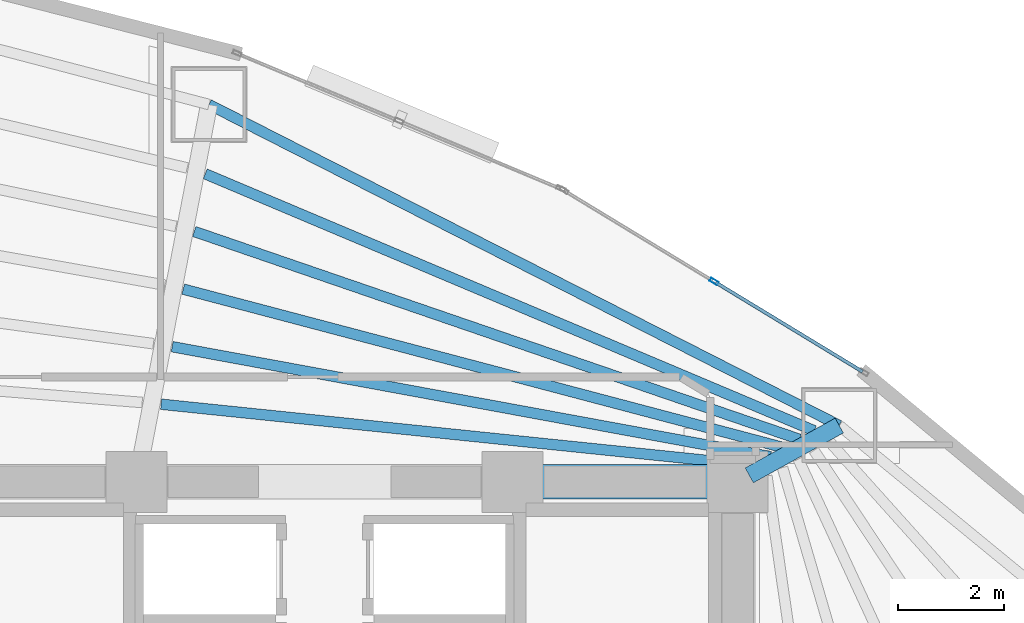
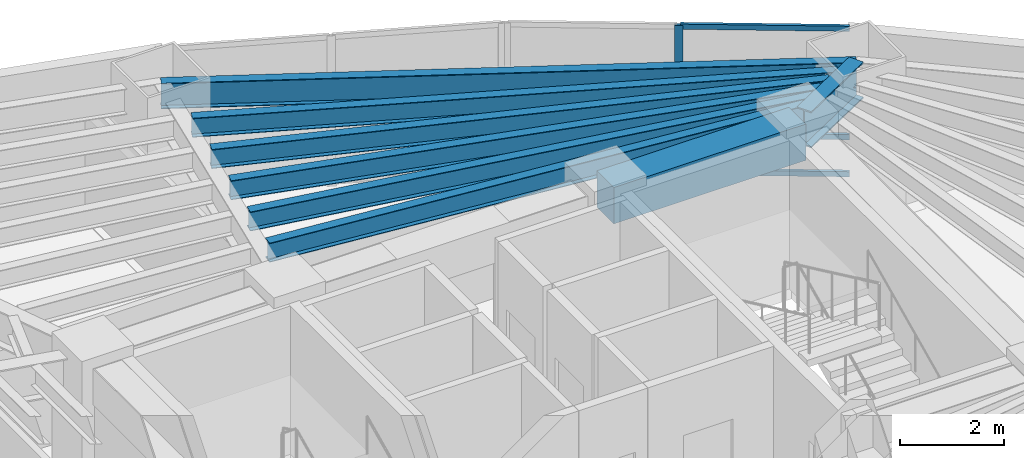
# One storey, part 10 of 17: 8 beams, 4 members, 1 element without a shape of its own.
"""IFC4 building model written with IfcOpenShell, lengths in metres."""

from ifc_helpers import new_model, si_unit, direction, frame, origin, origin_2d, place, context, subcontext, project, spatial, rectangle, hollow_rectangle, i_section, extrude, material, layer, layer_set, material_profile, profile_set, type_object, element, aggregate, save


model = new_model("IFC4")

# Units and contexts
model_context = context("Model", 3, precision=1e-05, world=origin(), true_north=direction((0.0, 1.0)))
body_context = subcontext(model_context, "Body", "Model", "MODEL_VIEW")
ifc_project = project(units=[si_unit("LENGTHUNIT", "METRE"), si_unit("AREAUNIT", "SQUARE_METRE"), si_unit("VOLUMEUNIT", "CUBIC_METRE"), si_unit("PLANEANGLEUNIT", "RADIAN"), si_unit("MASSUNIT", "GRAM", prefix="KILO")], contexts=[model_context])

# Site, building, storey
site_placement = place(None, origin())
site = spatial("IfcSite", under=ifc_project, at=site_placement, CompositionType="ELEMENT")
building_placement = place(site_placement, origin())
building = spatial("IfcBuilding", under=site, at=building_placement, Name="Menara Vayukalpa", CompositionType="ELEMENT")
storey_placement = place(building_placement, frame((0.0, 0.0, 38.760009765625)))
storey = spatial("IfcBuildingStorey", under=building, at=storey_placement, Name="L08", CompositionType="ELEMENT", Elevation=38.760009765625)

# Beams
ifc_material_1 = material(Name="Concrete C60/75", Category="concrete")
ifc_material_profile_1 = material_profile(ifc_material_1, rectangle(XDim=0.64990234375, YDim=0.85009765625, at=origin_2d()), Name="RC 650x850")
ifc_profile_set_1 = profile_set([ifc_material_profile_1], Name="Concrete C60/75")
beam_type_1 = type_object("IfcBeamType", Name="BM-CB1", PredefinedType="BEAM", material=ifc_profile_set_1)
beam_1_placement = place(storey_placement, frame((29.14990234375, 26.800048828125, 3.044921875), z_axis=(1.0, 0.0, 0.0), x_axis=(0.0, 1.0, 0.0)))
element("IfcBeam", 1, at=beam_1_placement, inside=storey, type_object=beam_type_1, Name="L08 Core Tie Beam CBR6", PredefinedType="BEAM", context=body_context, shape_type="SweptSolid", body=[
    extrude(rectangle(XDim=0.64990234375, YDim=0.85009765625, at=origin_2d()), origin(), (0.0, 0.0, 1.0), 4.25),
])
ifc_material_2 = material(Name="Steel S355", Category="steel")
ifc_material_profile_2 = material_profile(ifc_material_2, i_section(OverallWidth=0.320068359375, OverallDepth=0.85009765625, WebThickness=0.01611328125, FlangeThickness=0.030029296875, at=origin_2d()), Name="WF 850x320x16x30")
ifc_profile_set_2 = profile_set([ifc_material_profile_2], Name="Steel S355")
beam_type_2 = type_object("IfcBeamType", Name="BM-PG2", PredefinedType="BEAM", material=ifc_profile_set_2)
beam_2_placement = place(storey_placement, frame((33.61865234375, 26.921142578125, 3.044921875), z_axis=(0.87459548214, 0.484853320727, 0.0), x_axis=(-0.484853320727, 0.87459548214, 0.0)))
element("IfcBeam", 2, at=beam_2_placement, inside=storey, type_object=beam_type_2, Name="L08 Primary Radial Girder RG02", PredefinedType="BEAM", context=body_context, shape_type="SweptSolid", body=[
    extrude(i_section(OverallWidth=0.320068359375, OverallDepth=0.85009765625, WebThickness=0.01611328125, FlangeThickness=0.030029296875, at=origin_2d()), origin(), (0.0, 0.0, 1.0), 1.943115234375),
])
ifc_material_3 = material(Name="Steel S355", Category="steel")
ifc_material_profile_3 = material_profile(ifc_material_3, i_section(OverallWidth=0.199951171875, OverallDepth=0.449951171875, WebThickness=0.009033203125, FlangeThickness=0.013916015625, at=origin_2d()), Name="WF 450x200x9x14")
ifc_profile_set_3 = profile_set([ifc_material_profile_3], Name="Steel S355")
beam_type_3 = type_object("IfcBeamType", Name="BM-SJ1", PredefinedType="JOIST", material=ifc_profile_set_3)
beam_3_placement = place(storey_placement, frame((33.74560546875, 27.109130859375, 3.244873046875), z_axis=(-0.994746828953, 0.102365747631, 0.0), x_axis=(-0.102365747631, -0.994746828953, 0.0)))
element("IfcBeam", 3, at=beam_3_placement, inside=storey, type_object=beam_type_3, Name="L08 Secondary Floor Joist SJ02-1", PredefinedType="JOIST", context=body_context, shape_type="SweptSolid", body=[
    extrude(i_section(OverallWidth=0.199951171875, OverallDepth=0.449951171875, WebThickness=0.009033203125, FlangeThickness=0.013916015625, at=origin_2d()), origin(), (0.0, 0.0, 1.0), 11.29052734375),
])
beam_4_placement = place(storey_placement, frame((34.019287109375, 27.27392578125, 3.244873046875), z_axis=(-0.983504975359, 0.180881075419, 0.0), x_axis=(-0.180881075419, -0.983504975359, 0.0)))
element("IfcBeam", 4, at=beam_4_placement, inside=storey, type_object=beam_type_3, Name="L08 Secondary Floor Joist SJ02-2", PredefinedType="JOIST", context=body_context, shape_type="SweptSolid", body=[
    extrude(i_section(OverallWidth=0.199951171875, OverallDepth=0.449951171875, WebThickness=0.009033203125, FlangeThickness=0.013916015625, at=origin_2d()), origin(), (0.0, 0.0, 1.0), 11.48486328125),
])
beam_5_placement = place(storey_placement, frame((34.294189453125, 27.438232421875, 3.244873046875), z_axis=(-0.966863757537, 0.255292918746, 0.0), x_axis=(-0.255292918746, -0.966863757537, 0.0)))
element("IfcBeam", 5, at=beam_5_placement, inside=storey, type_object=beam_type_3, Name="L08 Secondary Floor Joist SJ02-3", PredefinedType="JOIST", context=body_context, shape_type="SweptSolid", body=[
    extrude(i_section(OverallWidth=0.199951171875, OverallDepth=0.449951171875, WebThickness=0.009033203125, FlangeThickness=0.013916015625, at=origin_2d()), origin(), (0.0, 0.0, 1.0), 11.751220703125),
])
beam_6_placement = place(storey_placement, frame((34.570068359375, 27.601318359375, 3.244873046875), z_axis=(-0.945794261669, 0.324766400038, 0.0), x_axis=(-0.324766400038, -0.945794261669, 0.0)))
element("IfcBeam", 6, at=beam_6_placement, inside=storey, type_object=beam_type_3, Name="L08 Secondary Floor Joist SJ02-4", PredefinedType="JOIST", context=body_context, shape_type="SweptSolid", body=[
    extrude(i_section(OverallWidth=0.199951171875, OverallDepth=0.449951171875, WebThickness=0.009033203125, FlangeThickness=0.013916015625, at=origin_2d()), origin(), (0.0, 0.0, 1.0), 12.0849609375),
])
beam_7_placement = place(storey_placement, frame((34.84619140625, 27.763671875, 3.244873046875), z_axis=(-0.921359344435, 0.38871192215, 0.0), x_axis=(-0.38871192215, -0.921359344435, 0.0)))
element("IfcBeam", 7, at=beam_7_placement, inside=storey, type_object=beam_type_3, Name="L08 Secondary Floor Joist SJ02-5", PredefinedType="JOIST", context=body_context, shape_type="SweptSolid", body=[
    extrude(i_section(OverallWidth=0.199951171875, OverallDepth=0.449951171875, WebThickness=0.009033203125, FlangeThickness=0.013916015625, at=origin_2d()), origin(), (0.0, 0.0, 1.0), 12.48046875),
])
ifc_material_4 = material(Name="Steel S355", Category="steel")
ifc_material_profile_4 = material_profile(ifc_material_4, i_section(OverallWidth=0.199951171875, OverallDepth=0.60009765625, WebThickness=0.010986328125, FlangeThickness=0.01708984375, at=origin_2d()), Name="WF 600x200x11x17")
ifc_profile_set_4 = profile_set([ifc_material_profile_4], Name="Steel S355")
beam_type_4 = type_object("IfcBeamType", Name="BM-SP1", PredefinedType="SPANDREL", material=ifc_profile_set_4)
beam_8_placement = place(storey_placement, frame((35.318115234375, 27.86328125, 3.169921875), z_axis=(-0.891100743313, 0.453805536841, 0.0), x_axis=(-0.453805536841, -0.891100743313, 0.0)))
element("IfcBeam", 8, at=beam_8_placement, inside=storey, type_object=beam_type_4, Name="L08 Perimeter Spandrel Beam SP02", PredefinedType="SPANDREL", context=body_context, shape_type="SweptSolid", body=[
    extrude(i_section(OverallWidth=0.199951171875, OverallDepth=0.60009765625, WebThickness=0.010986328125, FlangeThickness=0.01708984375, at=origin_2d()), origin(), (0.0, 0.0, 1.0), 13.352783203125),
])

# Curtain wall, members
ifc_material_5 = material(Name="Anodised Terracotta Aluminium Alloy 6063-T6", Category="masonry")
ifc_layer = layer(ifc_material_5, 0.1650390625)
ifc_layer_set = layer_set([ifc_layer], Name="Anodised Terracotta Aluminium Alloy 6063-T6")
curtain_wall_type = type_object("IfcCurtainWallType", Name="CW-CW2", PredefinedType="USERDEFINED", material=ifc_layer_set)
curtain_wall_placement = place(storey_placement, origin())
curtain_wall = element("IfcCurtainWall", 9, at=curtain_wall_placement, inside=storey, type_object=curtain_wall_type, Name="L08 Low Rise Terracotta Ribbon Curtain Wall CW2 04", ObjectType="UNITISED", PredefinedType="USERDEFINED")
ifc_material_6 = material(Name="Anodised Terracotta Aluminium Alloy 6063-T6", Category="masonry")
ifc_material_profile_5 = material_profile(ifc_material_6, hollow_rectangle(XDim=0.070068359375, YDim=0.1650390625, WallThickness=0.00390625, at=origin_2d()), Name="ALU 70x165x4")
ifc_profile_set_5 = profile_set([ifc_material_profile_5], Name="Anodised Terracotta Aluminium Alloy 6063-T6")
member_type_1 = type_object("IfcMemberType", Name="CWM-CW2", PredefinedType="MULLION", material=ifc_profile_set_5)
member_1_placement = place(storey_placement, frame((32.9560546875, 30.581298828125, 0.0), z_axis=(0.0, 0.0, 1.0), x_axis=(-0.519181964377, -0.854663727945, 0.0)))
member_1 = element("IfcMember", 10, at=member_1_placement, type_object=member_type_1, Name="CW2 mullion 2", PredefinedType="MULLION", context=body_context, shape_type="SweptSolid", body=[
    extrude(hollow_rectangle(XDim=0.070068359375, YDim=0.1650390625, WallThickness=0.00390625, at=origin_2d()), origin(), (0.0, 0.0, 1.0), 3.469970703125),
])
ifc_material_7 = material(Name="Anodised Terracotta Aluminium Alloy 6063-T6", Category="masonry")
ifc_material_profile_6 = material_profile(ifc_material_7, hollow_rectangle(XDim=0.06494140625, YDim=0.1201171875, WallThickness=0.00341796875, at=origin_2d()), Name="ALU 65x120x3.5")
ifc_profile_set_6 = profile_set([ifc_material_profile_6], Name="Anodised Terracotta Aluminium Alloy 6063-T6")
member_type_2 = type_object("IfcMemberType", Name="CWT-CW2", PredefinedType="USERDEFINED", material=ifc_profile_set_6)
member_2_placement = place(storey_placement, frame((35.75732421875, 28.879638671875, 0.032470703125), z_axis=(-0.854643142641, 0.519215849851, 0.0), x_axis=(-0.519215849851, -0.854643142641, 0.0)))
member_2 = element("IfcMember", 11, at=member_2_placement, type_object=member_type_2, Name="CW2 transom 1.1", ObjectType="TRANSOM", PredefinedType="USERDEFINED", context=body_context, shape_type="SweptSolid", body=[
    extrude(hollow_rectangle(XDim=0.06494140625, YDim=0.1201171875, WallThickness=0.00341796875, at=origin_2d()), origin(), (0.0, 0.0, 1.0), 3.24267578125),
])
member_3_placement = place(storey_placement, frame((35.75732421875, 28.879638671875, 0.89990234375), z_axis=(-0.854643142641, 0.519215849851, 0.0), x_axis=(-0.519215849851, -0.854643142641, 0.0)))
member_3 = element("IfcMember", 12, at=member_3_placement, type_object=member_type_2, Name="CW2 transom 1.2", ObjectType="TRANSOM", PredefinedType="USERDEFINED", context=body_context, shape_type="SweptSolid", body=[
    extrude(hollow_rectangle(XDim=0.06494140625, YDim=0.1201171875, WallThickness=0.00341796875, at=origin_2d()), origin(), (0.0, 0.0, 1.0), 3.24267578125),
])
member_4_placement = place(storey_placement, frame((35.75732421875, 28.879638671875, 3.4375), z_axis=(-0.854643142641, 0.519215849851, 0.0), x_axis=(-0.519215849851, -0.854643142641, 0.0)))
member_4 = element("IfcMember", 13, at=member_4_placement, type_object=member_type_2, Name="CW2 transom 1.3", ObjectType="TRANSOM", PredefinedType="USERDEFINED", context=body_context, shape_type="SweptSolid", body=[
    extrude(hollow_rectangle(XDim=0.06494140625, YDim=0.1201171875, WallThickness=0.00341796875, at=origin_2d()), origin(), (0.0, 0.0, 1.0), 3.24267578125),
])
aggregate(curtain_wall, [member_1, member_2, member_3, member_4])

save(model, "model.ifc")
